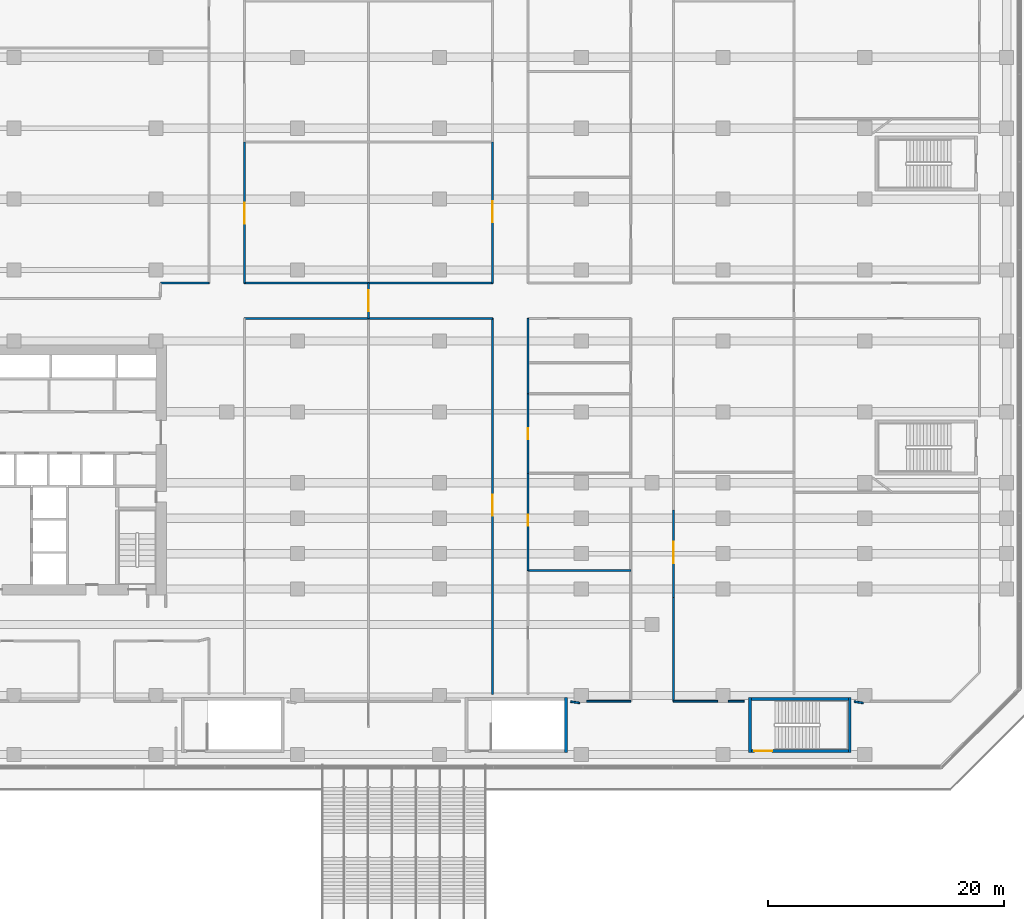
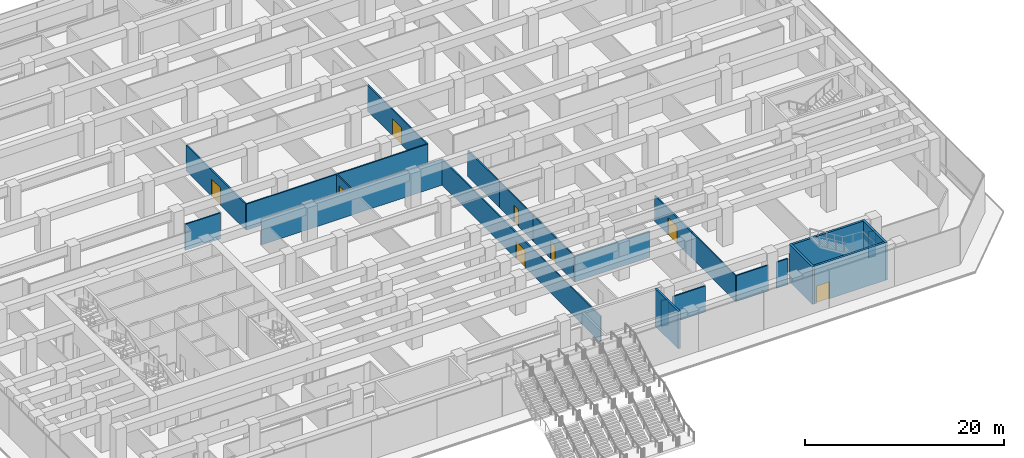
# One storey, part 29 of 40: 23 walls, 8 doors, 8 openings.
"""IFC4 building model written with IfcOpenShell, lengths in metres."""

import ifcopenshell
import ifcopenshell.guid

model = None  # the IFC model being written
_history = None  # IfcOwnerHistory: only IFC2X3 demands one
_inside = {}  # id of a spatial element -> (the spatial element, [elements in it])
_under = {}  # id of a project, library or spatial element -> (it, [spatial elements below it])
_declared = {}  # id of a project -> (the project, [libraries it declares])
_typed = {}  # id of a type object -> (the type object, [elements of that type])
_made_of = {}  # id of a material, layer set ... -> (it, [elements and type objects made of it])


def new_model(schema):
    """Start an empty IFC model of exactly this schema.

    Asked for "IFC4X3", IfcOpenShell would pick the latest addendum, in which some entities
    have other attributes; the version numbers below select the first issue.
    IFC2X3 requires an IfcOwnerHistory on every rooted entity: one is made here for all.
    """
    global model, _history
    if schema == "IFC4X3":
        model = ifcopenshell.file(schema_version=(4, 3, 0, 0))
    else:
        model = ifcopenshell.file(schema=schema)
    _inside.clear()
    _under.clear()
    _declared.clear()
    _typed.clear()
    _made_of.clear()
    _history = None
    if model.schema == "IFC2X3":
        org = make("IfcOrganization", Name="unknown")
        user = make(
            "IfcPersonAndOrganization",
            ThePerson=make("IfcPerson", FamilyName="unknown"),
            TheOrganization=org,
        )
        app = make(
            "IfcApplication",
            ApplicationDeveloper=org,
            Version="unknown",
            ApplicationFullName="unknown",
            ApplicationIdentifier="unknown",
        )
        _history = make(
            "IfcOwnerHistory",
            OwningUser=user,
            OwningApplication=app,
            ChangeAction="ADDED",
            CreationDate=0,
        )
    return model


def make(cls, **values):
    """One entity of the class cls with the attributes given. An attribute that is None is left unset."""
    return model.create_entity(
        cls, **{name: value for name, value in values.items() if value is not None}
    )


def rooted(cls, **values):
    """An entity with a GlobalId (a new one), such as an element, a storey or a relation."""
    return make(cls, GlobalId=ifcopenshell.guid.new(), OwnerHistory=_history, **values)


def si_unit(unit_type, name, prefix=None):
    """IfcSIUnit, for example si_unit("LENGTHUNIT", "METRE", prefix="MILLI")."""
    return make("IfcSIUnit", UnitType=unit_type, Prefix=prefix, Name=name)


def assignment(units):
    """IfcUnitAssignment: the units of a project."""
    return None if units is None else make("IfcUnitAssignment", Units=units)


def point(xyz):
    """IfcCartesianPoint."""
    return None if xyz is None else make("IfcCartesianPoint", Coordinates=xyz)


def direction(xyz):
    """IfcDirection."""
    return None if xyz is None else make("IfcDirection", DirectionRatios=xyz)


def frame(location, z_axis=None, x_axis=None):
    """IfcAxis2Placement3D, a coordinate frame: its origin and axes. An axis left out is left unset."""
    return make(
        "IfcAxis2Placement3D",
        Location=point(location),
        Axis=direction(z_axis),
        RefDirection=direction(x_axis),
    )


def frame_2d(location, x_axis=None):
    """IfcAxis2Placement2D, a coordinate frame in the plane: its origin and x axis."""
    return make(
        "IfcAxis2Placement2D", Location=point(location), RefDirection=direction(x_axis)
    )


def origin():
    """The frame at (0, 0, 0) with its axes left unset."""
    return frame((0.0, 0.0, 0.0))


def place(relative_to, where):
    """IfcLocalPlacement: puts the frame where relative to a parent placement (None: the world)."""
    return make(
        "IfcLocalPlacement", PlacementRelTo=relative_to, RelativePlacement=where
    )


def context(
    kind, dimensions, precision=None, world=None, true_north=None, identifier=None
):
    """IfcGeometricRepresentationContext, for example the 3D "Model" context."""
    return make(
        "IfcGeometricRepresentationContext",
        ContextIdentifier=identifier,
        ContextType=kind,
        CoordinateSpaceDimension=dimensions,
        Precision=precision,
        WorldCoordinateSystem=world,
        TrueNorth=true_north,
    )


def subcontext(parent, identifier, kind, view, scale=None):
    """IfcGeometricRepresentationSubContext, for example "Body" below "Model"."""
    return make(
        "IfcGeometricRepresentationSubContext",
        ContextIdentifier=identifier,
        ContextType=kind,
        ParentContext=parent,
        TargetScale=scale,
        TargetView=view,
    )


def project(units=None, contexts=None):
    """IfcProject with its units and contexts."""
    return rooted(
        "IfcProject",
        Name="project",
        RepresentationContexts=contexts,
        UnitsInContext=assignment(units),
    )


def spatial(cls, under=None, at=None, **own):
    """A site, building, storey or space (cls), placed at a placement, below another one or the project."""
    s = rooted(cls, ObjectPlacement=at, **own)
    if under is not None:
        _under.setdefault(under.id(), (under, []))[1].append(s)
    return s


def profile(cls, at=None, kind="AREA", **sizes):
    """A parametric profile (cls). Its sizes go by their IFC names, for example OverallWidth=200.0."""
    return make(cls, ProfileType=kind, Position=at, **sizes)


def rectangle(**sizes):
    """IfcRectangleProfileDef."""
    return profile("IfcRectangleProfileDef", **sizes)


def extrude(swept, where, along, depth):
    """IfcExtrudedAreaSolid: the profile swept, set in the frame where, extruded along a direction by depth."""
    return make(
        "IfcExtrudedAreaSolid",
        SweptArea=swept,
        Position=where,
        ExtrudedDirection=direction(along),
        Depth=depth,
    )


def shape(context_of_items, identifier, shape_type, items):
    """IfcShapeRepresentation: the items that make up one representation, for example the "Body"."""
    return make(
        "IfcShapeRepresentation",
        ContextOfItems=context_of_items,
        RepresentationIdentifier=identifier,
        RepresentationType=shape_type,
        Items=items,
    )


def material(Name=None, Category=None):
    """IfcMaterial."""
    return make("IfcMaterial", Name=Name, Category=Category)


def layer(
    of_material, thickness, ventilated=None, Name=None, Category=None, Priority=None
):
    """IfcMaterialLayer: one layer of a wall or slab, of a material (None: an air gap)."""
    return make(
        "IfcMaterialLayer",
        Material=of_material,
        LayerThickness=thickness,
        IsVentilated=ventilated,
        Name=Name,
        Category=Category,
        Priority=Priority,
    )


def layer_set(layers, Name=None):
    """IfcMaterialLayerSet."""
    return make("IfcMaterialLayerSet", MaterialLayers=layers, LayerSetName=Name)


def made_of(thing, what):
    """Note that an element or type object is made of a material, layer set ...; save() writes the relation."""
    if what is not None:
        _made_of.setdefault(what.id(), (what, []))[1].append(thing)
    return thing


def type_object(cls, material=None, **own):
    """A type object (cls), such as IfcWallType, which elements share."""
    return made_of(rooted(cls, **own), material)


def element(
    cls,
    number,
    at=None,
    inside=None,
    cuts=None,
    type_object=None,
    material=None,
    context=None,
    identifier="Body",
    shape_type=None,
    held_by="IfcProductDefinitionShape",
    body=None,
    shapes=None,
    **own,
):
    """One element of the class cls, such as IfcWall. Its Tag is "e" and its number.

    at: its placement. inside: the storey or other place that contains it. cuts: it is an
    opening in that element (IfcRelVoidsElement). A single representation is given by context,
    identifier, shape_type and body (its items); several are given by shapes. held_by: the class
    of the entity that holds the representations. save() writes the other relations.
    """
    e = rooted(cls, Tag="e%d" % number, ObjectPlacement=at, **own)
    if body is not None:
        shapes = [shape(context, identifier, shape_type, body)]
    if shapes is not None:
        e.Representation = make(held_by, Representations=shapes)
    if inside is not None:
        _inside.setdefault(inside.id(), (inside, []))[1].append(e)
    if cuts is not None:
        rooted(
            "IfcRelVoidsElement", RelatingBuildingElement=cuts, RelatedOpeningElement=e
        )
    if type_object is not None:
        _typed.setdefault(type_object.id(), (type_object, []))[1].append(e)
    return made_of(e, material)


def fill(opening, filler):
    """IfcRelFillsElement: the door or window that sits in an opening."""
    return rooted(
        "IfcRelFillsElement",
        RelatingOpeningElement=opening,
        RelatedBuildingElement=filler,
    )


def aggregate(whole, parts):
    """IfcRelAggregates: a whole, such as a stair, and the parts it consists of."""
    return rooted("IfcRelAggregates", RelatingObject=whole, RelatedObjects=parts)


def save(model, path):
    """Write the relations noted so far, then the file.

    IfcRelAggregates (storeys below a building ...), IfcRelContainedInSpatialStructure (elements
    in a storey), IfcRelDefinesByType, IfcRelAssociatesMaterial and IfcRelDeclares: one each for
    every whole, place, type object, material and project.
    """
    for whole, parts in _under.values():
        aggregate(whole, parts)
    for where, things in _inside.values():
        rooted(
            "IfcRelContainedInSpatialStructure",
            RelatedElements=things,
            RelatingStructure=where,
        )
    for kind, things in _typed.values():
        rooted("IfcRelDefinesByType", RelatedObjects=things, RelatingType=kind)
    for what, things in _made_of.values():
        rooted("IfcRelAssociatesMaterial", RelatedObjects=things, RelatingMaterial=what)
    for by, libraries in _declared.values():
        rooted("IfcRelDeclares", RelatingContext=by, RelatedDefinitions=libraries)
    model.write(path)


model = new_model("IFC4")

# Units and contexts
model_context = context("Model", 3, precision=1e-05, world=origin(), true_north=direction((0.0, 1.0)))
body_context = subcontext(model_context, "Body", "Model", "MODEL_VIEW")
ifc_project = project(units=[si_unit("LENGTHUNIT", "METRE"), si_unit("AREAUNIT", "SQUARE_METRE"), si_unit("VOLUMEUNIT", "CUBIC_METRE"), si_unit("PLANEANGLEUNIT", "RADIAN"), si_unit("MASSUNIT", "GRAM", prefix="KILO")], contexts=[model_context])

# Site, building, storey
site_placement = place(None, origin())
site = spatial("IfcSite", under=ifc_project, at=site_placement, CompositionType="ELEMENT")
building_placement = place(site_placement, origin())
building = spatial("IfcBuilding", under=site, at=building_placement, Name="Welwitschia Terrace Campus", CompositionType="ELEMENT")
storey_placement = place(building_placement, frame((0.0, 0.0, 6.0)))
storey = spatial("IfcBuildingStorey", under=building, at=storey_placement, Name="L01", CompositionType="ELEMENT", Elevation=6.0)

# Walls
ifc_material_1 = material(Name="Concrete C50/60", Category="concrete")
ifc_layer_1 = layer(ifc_material_1, 0.25)
ifc_layer_set_1 = layer_set([ifc_layer_1], Name="Concrete C50/60")
wall_type_1 = type_object("IfcWallType", Name="Core wall 250 Concrete C50/60", PredefinedType="SHEAR", material=ifc_layer_set_1)
for number, where, z_axis, x_axis, name in (
    (1, (58.72509765625, -8.824951171875, 0.0), (0.0, 0.0, 1.0), (0.0, 1.0, 0.0), "Core wall"),
    (2, (74.27490234375, -8.824951171875, 0.0), (0.0, 0.0, 1.0), (0.0, 1.0, 0.0), "Core wall"),
    (3, (82.72509765625, -8.824951171875, 0.0), (0.0, 0.0, 1.0), (0.0, 1.0, 0.0), "Core wall"),
):
    element("IfcWall", number, at=place(storey_placement, frame(where, z_axis=z_axis, x_axis=x_axis)), inside=storey, type_object=wall_type_1, Name=name, PredefinedType="SHEAR", context=body_context, shape_type="SweptSolid", body=[
        extrude(rectangle(XDim=4.64990234375, YDim=0.25, at=frame_2d((2.324951171875, 0.0))), origin(), (0.0, 0.0, 1.0), 4.60009765625),
    ])

# Wall, opening, door
wall_1_placement = place(storey_placement, frame((82.60009765625, -8.699951171875, 0.0), z_axis=(0.0, 0.0, 1.0), x_axis=(-1.0, 0.0, 0.0)))
wall_1 = element("IfcWall", 4, at=wall_1_placement, inside=storey, type_object=wall_type_1, Name="Core wall", PredefinedType="SHEAR", context=body_context, shape_type="SweptSolid", body=[
    extrude(rectangle(XDim=8.2001953125, YDim=0.25, at=frame_2d((4.10009765625, 0.0))), origin(), (0.0, 0.0, 1.0), 4.60009765625),
])
opening_1_placement = place(wall_1_placement, frame((6.449951171875, 0.0, 0.0)))
opening_1 = element("IfcOpeningElement", 5, at=opening_1_placement, cuts=wall_1, Name="Opening DS15", PredefinedType="OPENING", context=body_context, shape_type="SweptSolid", body=[
    extrude(rectangle(XDim=1.5, YDim=2.10009765625, at=frame_2d((0.75, 1.050048828125))), frame((0.0, 0.135009765625, 0.0), z_axis=(0.0, -1.0, 0.0), x_axis=(1.0, 0.0, 0.0)), (0.0, 0.0, 1.0), 0.27001953125),
])
ifc_material_2 = material(Name="Steel S275", Category="steel")
door_type_1 = type_object("IfcDoorType", Name="Core door DS15", OperationType="DOUBLE_DOOR_SINGLE_SWING", PredefinedType="DOOR", material=ifc_material_2)
door_1_placement = place(opening_1_placement, origin())
door_1 = element("IfcDoor", 6, at=door_1_placement, inside=storey, type_object=door_type_1, Name="Door P5", OperationType="DOUBLE_DOOR_SINGLE_SWING", OverallHeight=2.10009765625, OverallWidth=1.5, PredefinedType="DOOR", context=body_context, shape_type="SweptSolid", body=[
    extrude(rectangle(XDim=1.5, YDim=2.10009765625, at=frame_2d((0.75, 1.050048828125))), frame((0.0, 0.02490234375, 0.0), z_axis=(0.0, -1.0, 0.0), x_axis=(1.0, 0.0, 0.0)), (0.0, 0.0, 1.0), 0.050048828125),
])
fill(opening_1, door_1)

# Walls
wall_2_placement = place(storey_placement, frame((74.39990234375, -4.300048828125, 0.0), z_axis=(0.0, 0.0, 1.0), x_axis=(1.0, 0.0, 0.0)))
element("IfcWall", 7, at=wall_2_placement, inside=storey, type_object=wall_type_1, Name="Core wall", PredefinedType="SHEAR", context=body_context, shape_type="SweptSolid", body=[
    extrude(rectangle(XDim=8.2001953125, YDim=0.25, at=frame_2d((4.10009765625, 0.0))), origin(), (0.0, 0.0, 1.0), 4.60009765625),
])
ifc_material_3 = material(Name="Gypsum board on steel studs", Category="steel")
ifc_layer_2 = layer(ifc_material_3, 0.14990234375)
ifc_layer_set_2 = layer_set([ifc_layer_2], Name="Gypsum board on steel studs")
wall_type_2 = type_object("IfcWallType", Name="Corridor partition 150 EI 30", PredefinedType="PARTITIONING", material=ifc_layer_set_2)
wall_3_placement = place(storey_placement, frame((24.39990234375, 30.89990234375, 0.0), z_axis=(0.0, 0.0, 1.0), x_axis=(1.0, 0.0, 0.0)))
element("IfcWall", 8, at=wall_3_placement, inside=storey, type_object=wall_type_2, Name="Partition", PredefinedType="PARTITIONING", context=body_context, shape_type="SweptSolid", body=[
    extrude(rectangle(XDim=4.10009765625, YDim=0.14990234375, at=frame_2d((2.050048828125, 0.0))), origin(), (0.0, 0.0, 1.0), 3.179931640625),
])
wall_4_placement = place(storey_placement, frame((31.5, 27.89990234375, 0.0), z_axis=(0.0, 0.0, 1.0), x_axis=(1.0, 0.0, 0.0)))
element("IfcWall", 9, at=wall_4_placement, inside=storey, type_object=wall_type_2, Name="Partition", PredefinedType="PARTITIONING", context=body_context, shape_type="SweptSolid", body=[
    extrude(rectangle(XDim=21.0, YDim=0.14990234375, at=frame_2d((10.5, 0.0))), origin(), (0.0, 0.0, 1.0), 3.179931640625),
])

# Wall, opening, door
wall_5_placement = place(storey_placement, frame((31.5, 30.89990234375, 0.0), z_axis=(0.0, 0.0, 1.0), x_axis=(0.0, 1.0, 0.0)))
wall_5 = element("IfcWall", 10, at=wall_5_placement, inside=storey, type_object=wall_type_2, Name="Partition", PredefinedType="PARTITIONING", context=body_context, shape_type="SweptSolid", body=[
    extrude(rectangle(XDim=11.93017578125, YDim=0.14990234375, at=frame_2d((5.965087890625, 0.0))), origin(), (0.0, 0.0, 1.0), 3.179931640625),
])
opening_2_placement = place(wall_5_placement, frame((5.0, 0.0, 0.0)))
opening_2 = element("IfcOpeningElement", 11, at=opening_2_placement, cuts=wall_5, Name="Opening DI18", PredefinedType="OPENING", context=body_context, shape_type="SweptSolid", body=[
    extrude(rectangle(XDim=1.800048828125, YDim=2.10009765625, at=frame_2d((0.89990234375, 1.050048828125))), frame((0.0, 0.0849609375, 0.0), z_axis=(0.0, -1.0, 0.0), x_axis=(1.0, 0.0, 0.0)), (0.0, 0.0, 1.0), 0.169921875),
])
ifc_material_4 = material(Name="Timber veneered door", Category="wood")
door_type_2 = type_object("IfcDoorType", Name="Interior door DI18", OperationType="DOUBLE_DOOR_SINGLE_SWING", PredefinedType="DOOR", material=ifc_material_4)
door_2_placement = place(opening_2_placement, origin())
door_2 = element("IfcDoor", 12, at=door_2_placement, inside=storey, type_object=door_type_2, Name="Door L01 066", OperationType="SINGLE_SWING_LEFT", OverallHeight=2.10009765625, OverallWidth=1.800048828125, PredefinedType="DOOR", context=body_context, shape_type="SweptSolid", body=[
    extrude(rectangle(XDim=1.800048828125, YDim=2.10009765625, at=frame_2d((0.89990234375, 1.050048828125))), frame((0.0, 0.02490234375, 0.0), z_axis=(0.0, -1.0, 0.0), x_axis=(1.0, 0.0, 0.0)), (0.0, 0.0, 1.0), 0.050048828125),
])
fill(opening_2, door_2)

# Wall
wall_6_placement = place(storey_placement, frame((31.5, 30.89990234375, 0.0), z_axis=(0.0, 0.0, 1.0), x_axis=(1.0, 0.0, 0.0)))
element("IfcWall", 13, at=wall_6_placement, inside=storey, type_object=wall_type_2, Name="Partition", PredefinedType="PARTITIONING", context=body_context, shape_type="SweptSolid", body=[
    extrude(rectangle(XDim=21.0, YDim=0.14990234375, at=frame_2d((10.5, 0.0))), origin(), (0.0, 0.0, 1.0), 3.179931640625),
])

# Wall, opening, door
wall_7_placement = place(storey_placement, frame((42.0, 30.89990234375, 0.0), z_axis=(0.0, 0.0, 1.0), x_axis=(0.0, -1.0, 0.0)))
wall_7 = element("IfcWall", 14, at=wall_7_placement, inside=storey, type_object=wall_type_2, Name="Partition", PredefinedType="PARTITIONING", context=body_context, shape_type="SweptSolid", body=[
    extrude(rectangle(XDim=3.0, YDim=0.14990234375, at=frame_2d((1.5, 0.0))), origin(), (0.0, 0.0, 1.0), 3.179931640625),
])
opening_3_placement = place(wall_7_placement, frame((0.60009765625, 0.0, 0.0)))
opening_3 = element("IfcOpeningElement", 15, at=opening_3_placement, cuts=wall_7, Name="Opening DF18", PredefinedType="OPENING", context=body_context, shape_type="SweptSolid", body=[
    extrude(rectangle(XDim=1.800048828125, YDim=2.10009765625, at=frame_2d((0.89990234375, 1.050048828125))), frame((0.0, 0.0849609375, 0.0), z_axis=(0.0, -1.0, 0.0), x_axis=(1.0, 0.0, 0.0)), (0.0, 0.0, 1.0), 0.169921875),
])
ifc_material_5 = material(Name="Timber veneered door", Category="wood")
door_type_3 = type_object("IfcDoorType", Name="Interior door DF18", OperationType="DOUBLE_DOOR_SINGLE_SWING", PredefinedType="DOOR", material=ifc_material_5)
door_3_placement = place(opening_3_placement, origin())
door_3 = element("IfcDoor", 16, at=door_3_placement, inside=storey, type_object=door_type_3, Name="Door L01 070", OperationType="SINGLE_SWING_LEFT", OverallHeight=2.10009765625, OverallWidth=1.800048828125, PredefinedType="DOOR", context=body_context, shape_type="SweptSolid", body=[
    extrude(rectangle(XDim=1.800048828125, YDim=2.10009765625, at=frame_2d((0.89990234375, 1.050048828125))), frame((0.0, 0.02490234375, 0.0), z_axis=(0.0, -1.0, 0.0), x_axis=(1.0, 0.0, 0.0)), (0.0, 0.0, 1.0), 0.050048828125),
])
fill(opening_3, door_3)

wall_8_placement = place(storey_placement, frame((52.5, 27.89990234375, 0.0), z_axis=(0.0, 0.0, 1.0), x_axis=(0.0, -1.0, 0.0)))
wall_8 = element("IfcWall", 17, at=wall_8_placement, inside=storey, type_object=wall_type_2, Name="Partition", PredefinedType="PARTITIONING", context=body_context, shape_type="SweptSolid", body=[
    extrude(rectangle(XDim=31.81982421875, YDim=0.14990234375, at=frame_2d((15.909912109375, 0.0))), origin(), (0.0, 0.0, 1.0), 3.179931640625),
])
opening_4_placement = place(wall_8_placement, frame((14.89990234375, 0.0, 0.0)))
opening_4 = element("IfcOpeningElement", 18, at=opening_4_placement, cuts=wall_8, Name="Opening DI18", PredefinedType="OPENING", context=body_context, shape_type="SweptSolid", body=[
    extrude(rectangle(XDim=1.800048828125, YDim=2.10009765625, at=frame_2d((0.89990234375, 1.050048828125))), frame((0.0, 0.0849609375, 0.0), z_axis=(0.0, -1.0, 0.0), x_axis=(1.0, 0.0, 0.0)), (0.0, 0.0, 1.0), 0.169921875),
])
door_4_placement = place(opening_4_placement, origin())
door_4 = element("IfcDoor", 19, at=door_4_placement, inside=storey, type_object=door_type_2, Name="Door L01 071", OperationType="SINGLE_SWING_LEFT", OverallHeight=2.10009765625, OverallWidth=1.800048828125, PredefinedType="DOOR", context=body_context, shape_type="SweptSolid", body=[
    extrude(rectangle(XDim=1.800048828125, YDim=2.10009765625, at=frame_2d((0.89990234375, 1.050048828125))), frame((0.0, 0.02490234375, 0.0), z_axis=(0.0, -1.0, 0.0), x_axis=(1.0, 0.0, 0.0)), (0.0, 0.0, 1.0), 0.050048828125),
])
fill(opening_4, door_4)

wall_9_placement = place(storey_placement, frame((52.5, 42.830078125, 0.0), z_axis=(0.0, 0.0, 1.0), x_axis=(0.0, -1.0, 0.0)))
wall_9 = element("IfcWall", 20, at=wall_9_placement, inside=storey, type_object=wall_type_2, Name="Partition", PredefinedType="PARTITIONING", context=body_context, shape_type="SweptSolid", body=[
    extrude(rectangle(XDim=11.93017578125, YDim=0.14990234375, at=frame_2d((5.965087890625, 0.0))), origin(), (0.0, 0.0, 1.0), 3.179931640625),
])
opening_5_placement = place(wall_9_placement, frame((5.0, 0.0, 0.0)))
opening_5 = element("IfcOpeningElement", 21, at=opening_5_placement, cuts=wall_9, Name="Opening DI18", PredefinedType="OPENING", context=body_context, shape_type="SweptSolid", body=[
    extrude(rectangle(XDim=1.800048828125, YDim=2.10009765625, at=frame_2d((0.89990234375, 1.050048828125))), frame((0.0, 0.0849609375, 0.0), z_axis=(0.0, -1.0, 0.0), x_axis=(1.0, 0.0, 0.0)), (0.0, 0.0, 1.0), 0.169921875),
])
door_5_placement = place(opening_5_placement, origin())
door_5 = element("IfcDoor", 22, at=door_5_placement, inside=storey, type_object=door_type_2, Name="Door L01 072", OperationType="SINGLE_SWING_LEFT", OverallHeight=2.10009765625, OverallWidth=1.800048828125, PredefinedType="DOOR", context=body_context, shape_type="SweptSolid", body=[
    extrude(rectangle(XDim=1.800048828125, YDim=2.10009765625, at=frame_2d((0.89990234375, 1.050048828125))), frame((0.0, 0.02490234375, 0.0), z_axis=(0.0, -1.0, 0.0), x_axis=(1.0, 0.0, 0.0)), (0.0, 0.0, 1.0), 0.050048828125),
])
fill(opening_5, door_5)

# Wall
wall_10_placement = place(storey_placement, frame((55.5, 6.570068359375, 0.0), z_axis=(0.0, 0.0, 1.0), x_axis=(1.0, 0.0, 0.0)))
element("IfcWall", 23, at=wall_10_placement, inside=storey, type_object=wall_type_2, Name="Partition", PredefinedType="PARTITIONING", context=body_context, shape_type="SweptSolid", body=[
    extrude(rectangle(XDim=8.699951171875, YDim=0.14990234375, at=frame_2d((4.35009765625, 0.0))), origin(), (0.0, 0.0, 1.0), 3.179931640625),
])

# Wall, opening, door
wall_11_placement = place(storey_placement, frame((55.5, 14.800048828125, 0.0), z_axis=(0.0, 0.0, 1.0), x_axis=(0.0, -1.0, 0.0)))
wall_11 = element("IfcWall", 24, at=wall_11_placement, inside=storey, type_object=wall_type_2, Name="Partition", PredefinedType="PARTITIONING", context=body_context, shape_type="SweptSolid", body=[
    extrude(rectangle(XDim=8.22998046875, YDim=0.14990234375, at=frame_2d((4.114990234375, 0.0))), origin(), (0.0, 0.0, 1.0), 3.179931640625),
])
opening_6_placement = place(wall_11_placement, frame((3.530029296875, 0.0, 0.0)))
opening_6 = element("IfcOpeningElement", 25, at=opening_6_placement, cuts=wall_11, Name="Opening DI09", PredefinedType="OPENING", context=body_context, shape_type="SweptSolid", body=[
    extrude(rectangle(XDim=0.89990234375, YDim=2.10009765625, at=frame_2d((0.449951171875, 1.050048828125))), frame((0.0, 0.0849609375, 0.0), z_axis=(0.0, -1.0, 0.0), x_axis=(1.0, 0.0, 0.0)), (0.0, 0.0, 1.0), 0.169921875),
])
ifc_material_6 = material(Name="Timber veneered door", Category="wood")
door_type_4 = type_object("IfcDoorType", Name="Interior door DI09", OperationType="NOTDEFINED", PredefinedType="DOOR", material=ifc_material_6)
door_6_placement = place(opening_6_placement, origin())
door_6 = element("IfcDoor", 26, at=door_6_placement, inside=storey, type_object=door_type_4, Name="Door L01 076", OperationType="SINGLE_SWING_LEFT", OverallHeight=2.10009765625, OverallWidth=0.89990234375, PredefinedType="DOOR", context=body_context, shape_type="SweptSolid", body=[
    extrude(rectangle(XDim=0.89990234375, YDim=2.10009765625, at=frame_2d((0.449951171875, 1.050048828125))), frame((0.0, 0.02490234375, 0.0), z_axis=(0.0, -1.0, 0.0), x_axis=(1.0, 0.0, 0.0)), (0.0, 0.0, 1.0), 0.050048828125),
])
fill(opening_6, door_6)

wall_12_placement = place(storey_placement, frame((55.5, 21.5400390625, 0.0), z_axis=(0.0, 0.0, 1.0), x_axis=(0.0, -1.0, 0.0)))
wall_12 = element("IfcWall", 27, at=wall_12_placement, inside=storey, type_object=wall_type_2, Name="Partition", PredefinedType="PARTITIONING", context=body_context, shape_type="SweptSolid", body=[
    extrude(rectangle(XDim=6.739990234375, YDim=0.14990234375, at=frame_2d((3.3701171875, 0.0))), origin(), (0.0, 0.0, 1.0), 3.179931640625),
])
opening_7_placement = place(wall_12_placement, frame((2.93994140625, 0.0, 0.0)))
opening_7 = element("IfcOpeningElement", 28, at=opening_7_placement, cuts=wall_12, Name="Opening DI09", PredefinedType="OPENING", context=body_context, shape_type="SweptSolid", body=[
    extrude(rectangle(XDim=0.89990234375, YDim=2.10009765625, at=frame_2d((0.449951171875, 1.050048828125))), frame((0.0, 0.0849609375, 0.0), z_axis=(0.0, -1.0, 0.0), x_axis=(1.0, 0.0, 0.0)), (0.0, 0.0, 1.0), 0.169921875),
])
door_7_placement = place(opening_7_placement, origin())
door_7 = element("IfcDoor", 29, at=door_7_placement, inside=storey, type_object=door_type_4, Name="Door L01 077", OperationType="SINGLE_SWING_RIGHT", OverallHeight=2.10009765625, OverallWidth=0.89990234375, PredefinedType="DOOR", context=body_context, shape_type="SweptSolid", body=[
    extrude(rectangle(XDim=0.89990234375, YDim=2.10009765625, at=frame_2d((0.449951171875, 1.050048828125))), frame((0.0, 0.02490234375, 0.0), z_axis=(0.0, -1.0, 0.0), x_axis=(1.0, 0.0, 0.0)), (0.0, 0.0, 1.0), 0.050048828125),
])
fill(opening_7, door_7)

# Walls
wall_13_placement = place(storey_placement, frame((55.5, 21.5400390625, 0.0), z_axis=(0.0, 0.0, 1.0), x_axis=(0.0, 1.0, 0.0)))
element("IfcWall", 30, at=wall_13_placement, inside=storey, type_object=wall_type_2, Name="Partition", PredefinedType="PARTITIONING", context=body_context, shape_type="SweptSolid", body=[
    extrude(rectangle(XDim=6.35986328125, YDim=0.14990234375, at=frame_2d((3.179931640625, 0.0))), origin(), (0.0, 0.0, 1.0), 3.179931640625),
])
wall_14_placement = place(storey_placement, frame((59.10009765625, -4.52001953125, 0.0), z_axis=(0.0, 0.0, 1.0), x_axis=(0.988098486873, -0.153822560892, 0.0)))
element("IfcWall", 31, at=wall_14_placement, inside=storey, type_object=wall_type_2, Name="Partition", PredefinedType="PARTITIONING", context=body_context, shape_type="SweptSolid", body=[
    extrude(rectangle(XDim=0.779296875, YDim=0.14990234375, at=frame_2d((0.3896484375, 0.0))), origin(), (0.0, 0.0, 1.0), 3.179931640625),
])
wall_15_placement = place(storey_placement, frame((60.4599609375, -4.5, 0.0), z_axis=(0.0, 0.0, 1.0), x_axis=(1.0, 0.0, 0.0)))
element("IfcWall", 32, at=wall_15_placement, inside=storey, type_object=wall_type_2, Name="Partition", PredefinedType="PARTITIONING", context=body_context, shape_type="SweptSolid", body=[
    extrude(rectangle(XDim=3.739990234375, YDim=0.14990234375, at=frame_2d((1.8701171875, 0.0))), origin(), (0.0, 0.0, 1.0), 3.179931640625),
])
wall_16_placement = place(storey_placement, frame((67.800048828125, -4.5, 0.0), z_axis=(0.0, 0.0, 1.0), x_axis=(0.0, 1.0, 0.0)))
element("IfcWall", 33, at=wall_16_placement, inside=storey, type_object=wall_type_2, Name="Partition", PredefinedType="PARTITIONING", context=body_context, shape_type="SweptSolid", body=[
    extrude(rectangle(XDim=8.7900390625, YDim=0.14990234375, at=frame_2d((4.39501953125, 0.0))), origin(), (0.0, 0.0, 1.0), 3.179931640625),
])
wall_17_placement = place(storey_placement, frame((67.800048828125, -4.5, 0.0), z_axis=(0.0, 0.0, 1.0), x_axis=(1.0, 0.0, 0.0)))
element("IfcWall", 34, at=wall_17_placement, inside=storey, type_object=wall_type_2, Name="Partition", PredefinedType="PARTITIONING", context=body_context, shape_type="SweptSolid", body=[
    extrude(rectangle(XDim=3.739990234375, YDim=0.14990234375, at=frame_2d((1.8701171875, 0.0))), origin(), (0.0, 0.0, 1.0), 3.179931640625),
])

# Wall, opening, door
wall_18_placement = place(storey_placement, frame((67.800048828125, 4.2900390625, 0.0), z_axis=(0.0, 0.0, 1.0), x_axis=(0.0, 1.0, 0.0)))
wall_18 = element("IfcWall", 35, at=wall_18_placement, inside=storey, type_object=wall_type_2, Name="Partition", PredefinedType="PARTITIONING", context=body_context, shape_type="SweptSolid", body=[
    extrude(rectangle(XDim=7.419921875, YDim=0.14990234375, at=frame_2d((3.7099609375, 0.0))), origin(), (0.0, 0.0, 1.0), 3.179931640625),
])
opening_8_placement = place(wall_18_placement, frame((2.89990234375, 0.0, 0.0)))
opening_8 = element("IfcOpeningElement", 36, at=opening_8_placement, cuts=wall_18, Name="Opening DI18", PredefinedType="OPENING", context=body_context, shape_type="SweptSolid", body=[
    extrude(rectangle(XDim=1.800048828125, YDim=2.10009765625, at=frame_2d((0.89990234375, 1.050048828125))), frame((0.0, 0.0849609375, 0.0), z_axis=(0.0, -1.0, 0.0), x_axis=(1.0, 0.0, 0.0)), (0.0, 0.0, 1.0), 0.169921875),
])
door_8_placement = place(opening_8_placement, origin())
door_8 = element("IfcDoor", 37, at=door_8_placement, inside=storey, type_object=door_type_2, Name="Door L01 084", OperationType="SINGLE_SWING_LEFT", OverallHeight=2.10009765625, OverallWidth=1.800048828125, PredefinedType="DOOR", context=body_context, shape_type="SweptSolid", body=[
    extrude(rectangle(XDim=1.800048828125, YDim=2.10009765625, at=frame_2d((0.89990234375, 1.050048828125))), frame((0.0, 0.02490234375, 0.0), z_axis=(0.0, -1.0, 0.0), x_axis=(1.0, 0.0, 0.0)), (0.0, 0.0, 1.0), 0.050048828125),
])
fill(opening_8, door_8)

# Walls
wall_19_placement = place(storey_placement, frame((72.4599609375, -4.5, 0.0), z_axis=(0.0, 0.0, 1.0), x_axis=(1.0, 0.0, 0.0)))
element("IfcWall", 38, at=wall_19_placement, inside=storey, type_object=wall_type_2, Name="Partition", PredefinedType="PARTITIONING", context=body_context, shape_type="SweptSolid", body=[
    extrude(rectangle(XDim=1.320068359375, YDim=0.14990234375, at=frame_2d((0.66015625, 0.0))), origin(), (0.0, 0.0, 1.0), 3.179931640625),
])
wall_20_placement = place(storey_placement, frame((83.10009765625, -4.52001953125, 0.0), z_axis=(0.0, 0.0, 1.0), x_axis=(0.988098486873, -0.153822560892, 0.0)))
element("IfcWall", 39, at=wall_20_placement, inside=storey, type_object=wall_type_2, Name="Partition", PredefinedType="PARTITIONING", context=body_context, shape_type="SweptSolid", body=[
    extrude(rectangle(XDim=0.779296875, YDim=0.14990234375, at=frame_2d((0.3896484375, 0.0))), origin(), (0.0, 0.0, 1.0), 3.179931640625),
])

save(model, "model.ifc")
